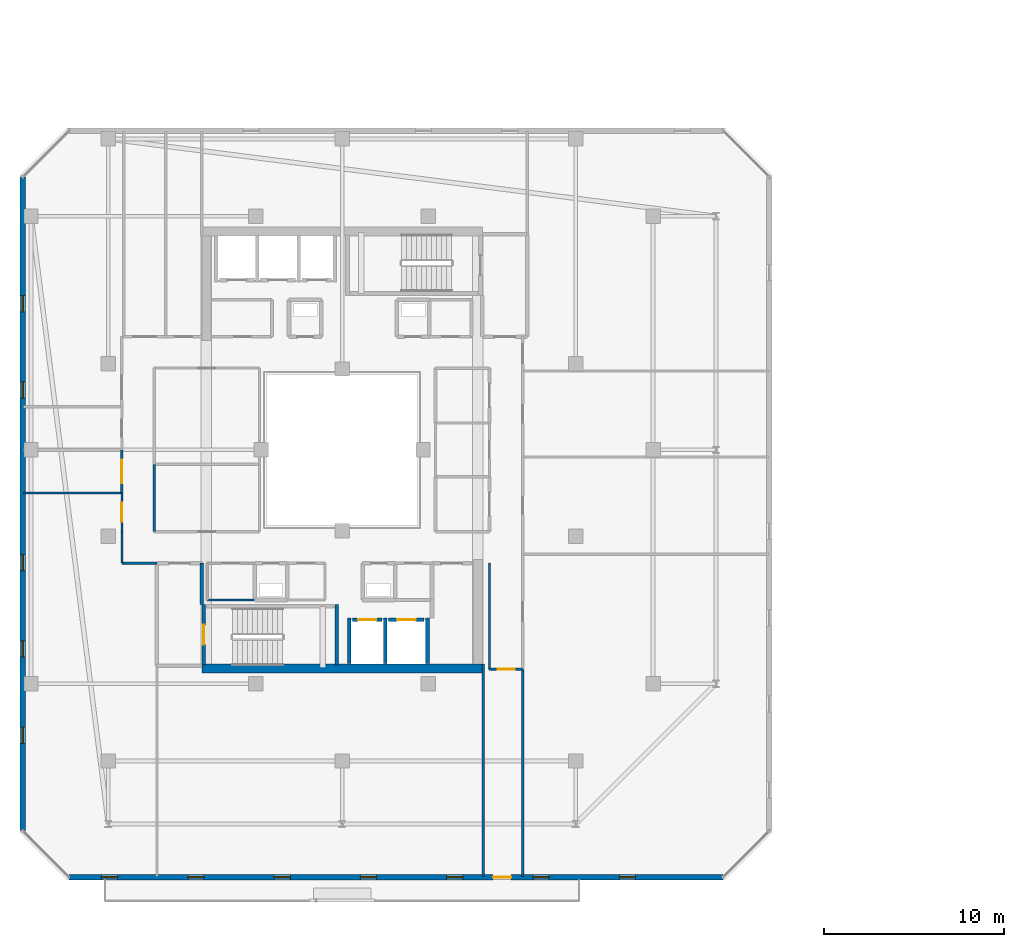
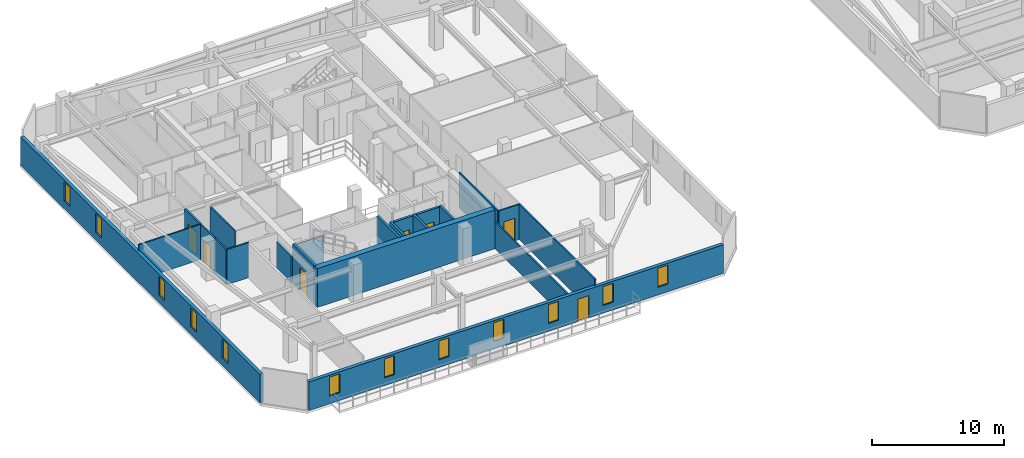
# One storey, part 21 of 35: 22 walls, 12 windows, 7 doors, 19 openings.
"""IFC4 building model written with IfcOpenShell, lengths in metres."""

import ifcopenshell
import ifcopenshell.guid

model = None  # the IFC model being written
_history = None  # IfcOwnerHistory: only IFC2X3 demands one
_inside = {}  # id of a spatial element -> (the spatial element, [elements in it])
_under = {}  # id of a project, library or spatial element -> (it, [spatial elements below it])
_declared = {}  # id of a project -> (the project, [libraries it declares])
_typed = {}  # id of a type object -> (the type object, [elements of that type])
_made_of = {}  # id of a material, layer set ... -> (it, [elements and type objects made of it])


def new_model(schema):
    """Start an empty IFC model of exactly this schema.

    Asked for "IFC4X3", IfcOpenShell would pick the latest addendum, in which some entities
    have other attributes; the version numbers below select the first issue.
    IFC2X3 requires an IfcOwnerHistory on every rooted entity: one is made here for all.
    """
    global model, _history
    if schema == "IFC4X3":
        model = ifcopenshell.file(schema_version=(4, 3, 0, 0))
    else:
        model = ifcopenshell.file(schema=schema)
    _inside.clear()
    _under.clear()
    _declared.clear()
    _typed.clear()
    _made_of.clear()
    _history = None
    if model.schema == "IFC2X3":
        org = make("IfcOrganization", Name="unknown")
        user = make(
            "IfcPersonAndOrganization",
            ThePerson=make("IfcPerson", FamilyName="unknown"),
            TheOrganization=org,
        )
        app = make(
            "IfcApplication",
            ApplicationDeveloper=org,
            Version="unknown",
            ApplicationFullName="unknown",
            ApplicationIdentifier="unknown",
        )
        _history = make(
            "IfcOwnerHistory",
            OwningUser=user,
            OwningApplication=app,
            ChangeAction="ADDED",
            CreationDate=0,
        )
    return model


def make(cls, **values):
    """One entity of the class cls with the attributes given. An attribute that is None is left unset."""
    return model.create_entity(
        cls, **{name: value for name, value in values.items() if value is not None}
    )


def rooted(cls, **values):
    """An entity with a GlobalId (a new one), such as an element, a storey or a relation."""
    return make(cls, GlobalId=ifcopenshell.guid.new(), OwnerHistory=_history, **values)


def si_unit(unit_type, name, prefix=None):
    """IfcSIUnit, for example si_unit("LENGTHUNIT", "METRE", prefix="MILLI")."""
    return make("IfcSIUnit", UnitType=unit_type, Prefix=prefix, Name=name)


def assignment(units):
    """IfcUnitAssignment: the units of a project."""
    return None if units is None else make("IfcUnitAssignment", Units=units)


def point(xyz):
    """IfcCartesianPoint."""
    return None if xyz is None else make("IfcCartesianPoint", Coordinates=xyz)


def direction(xyz):
    """IfcDirection."""
    return None if xyz is None else make("IfcDirection", DirectionRatios=xyz)


def frame(location, z_axis=None, x_axis=None):
    """IfcAxis2Placement3D, a coordinate frame: its origin and axes. An axis left out is left unset."""
    return make(
        "IfcAxis2Placement3D",
        Location=point(location),
        Axis=direction(z_axis),
        RefDirection=direction(x_axis),
    )


def frame_2d(location, x_axis=None):
    """IfcAxis2Placement2D, a coordinate frame in the plane: its origin and x axis."""
    return make(
        "IfcAxis2Placement2D", Location=point(location), RefDirection=direction(x_axis)
    )


def origin():
    """The frame at (0, 0, 0) with its axes left unset."""
    return frame((0.0, 0.0, 0.0))


def place(relative_to, where):
    """IfcLocalPlacement: puts the frame where relative to a parent placement (None: the world)."""
    return make(
        "IfcLocalPlacement", PlacementRelTo=relative_to, RelativePlacement=where
    )


def context(
    kind, dimensions, precision=None, world=None, true_north=None, identifier=None
):
    """IfcGeometricRepresentationContext, for example the 3D "Model" context."""
    return make(
        "IfcGeometricRepresentationContext",
        ContextIdentifier=identifier,
        ContextType=kind,
        CoordinateSpaceDimension=dimensions,
        Precision=precision,
        WorldCoordinateSystem=world,
        TrueNorth=true_north,
    )


def subcontext(parent, identifier, kind, view, scale=None):
    """IfcGeometricRepresentationSubContext, for example "Body" below "Model"."""
    return make(
        "IfcGeometricRepresentationSubContext",
        ContextIdentifier=identifier,
        ContextType=kind,
        ParentContext=parent,
        TargetScale=scale,
        TargetView=view,
    )


def project(units=None, contexts=None):
    """IfcProject with its units and contexts."""
    return rooted(
        "IfcProject",
        Name="project",
        RepresentationContexts=contexts,
        UnitsInContext=assignment(units),
    )


def spatial(cls, under=None, at=None, **own):
    """A site, building, storey or space (cls), placed at a placement, below another one or the project."""
    s = rooted(cls, ObjectPlacement=at, **own)
    if under is not None:
        _under.setdefault(under.id(), (under, []))[1].append(s)
    return s


def profile(cls, at=None, kind="AREA", **sizes):
    """A parametric profile (cls). Its sizes go by their IFC names, for example OverallWidth=200.0."""
    return make(cls, ProfileType=kind, Position=at, **sizes)


def rectangle(**sizes):
    """IfcRectangleProfileDef."""
    return profile("IfcRectangleProfileDef", **sizes)


def extrude(swept, where, along, depth):
    """IfcExtrudedAreaSolid: the profile swept, set in the frame where, extruded along a direction by depth."""
    return make(
        "IfcExtrudedAreaSolid",
        SweptArea=swept,
        Position=where,
        ExtrudedDirection=direction(along),
        Depth=depth,
    )


def shape(context_of_items, identifier, shape_type, items):
    """IfcShapeRepresentation: the items that make up one representation, for example the "Body"."""
    return make(
        "IfcShapeRepresentation",
        ContextOfItems=context_of_items,
        RepresentationIdentifier=identifier,
        RepresentationType=shape_type,
        Items=items,
    )


def material(Name=None, Category=None):
    """IfcMaterial."""
    return make("IfcMaterial", Name=Name, Category=Category)


def layer(
    of_material, thickness, ventilated=None, Name=None, Category=None, Priority=None
):
    """IfcMaterialLayer: one layer of a wall or slab, of a material (None: an air gap)."""
    return make(
        "IfcMaterialLayer",
        Material=of_material,
        LayerThickness=thickness,
        IsVentilated=ventilated,
        Name=Name,
        Category=Category,
        Priority=Priority,
    )


def layer_set(layers, Name=None):
    """IfcMaterialLayerSet."""
    return make("IfcMaterialLayerSet", MaterialLayers=layers, LayerSetName=Name)


def made_of(thing, what):
    """Note that an element or type object is made of a material, layer set ...; save() writes the relation."""
    if what is not None:
        _made_of.setdefault(what.id(), (what, []))[1].append(thing)
    return thing


def type_object(cls, material=None, **own):
    """A type object (cls), such as IfcWallType, which elements share."""
    return made_of(rooted(cls, **own), material)


def element(
    cls,
    number,
    at=None,
    inside=None,
    cuts=None,
    type_object=None,
    material=None,
    context=None,
    identifier="Body",
    shape_type=None,
    held_by="IfcProductDefinitionShape",
    body=None,
    shapes=None,
    **own,
):
    """One element of the class cls, such as IfcWall. Its Tag is "e" and its number.

    at: its placement. inside: the storey or other place that contains it. cuts: it is an
    opening in that element (IfcRelVoidsElement). A single representation is given by context,
    identifier, shape_type and body (its items); several are given by shapes. held_by: the class
    of the entity that holds the representations. save() writes the other relations.
    """
    e = rooted(cls, Tag="e%d" % number, ObjectPlacement=at, **own)
    if body is not None:
        shapes = [shape(context, identifier, shape_type, body)]
    if shapes is not None:
        e.Representation = make(held_by, Representations=shapes)
    if inside is not None:
        _inside.setdefault(inside.id(), (inside, []))[1].append(e)
    if cuts is not None:
        rooted(
            "IfcRelVoidsElement", RelatingBuildingElement=cuts, RelatedOpeningElement=e
        )
    if type_object is not None:
        _typed.setdefault(type_object.id(), (type_object, []))[1].append(e)
    return made_of(e, material)


def fill(opening, filler):
    """IfcRelFillsElement: the door or window that sits in an opening."""
    return rooted(
        "IfcRelFillsElement",
        RelatingOpeningElement=opening,
        RelatedBuildingElement=filler,
    )


def aggregate(whole, parts):
    """IfcRelAggregates: a whole, such as a stair, and the parts it consists of."""
    return rooted("IfcRelAggregates", RelatingObject=whole, RelatedObjects=parts)


def save(model, path):
    """Write the relations noted so far, then the file.

    IfcRelAggregates (storeys below a building ...), IfcRelContainedInSpatialStructure (elements
    in a storey), IfcRelDefinesByType, IfcRelAssociatesMaterial and IfcRelDeclares: one each for
    every whole, place, type object, material and project.
    """
    for whole, parts in _under.values():
        aggregate(whole, parts)
    for where, things in _inside.values():
        rooted(
            "IfcRelContainedInSpatialStructure",
            RelatedElements=things,
            RelatingStructure=where,
        )
    for kind, things in _typed.values():
        rooted("IfcRelDefinesByType", RelatedObjects=things, RelatingType=kind)
    for what, things in _made_of.values():
        rooted("IfcRelAssociatesMaterial", RelatedObjects=things, RelatingMaterial=what)
    for by, libraries in _declared.values():
        rooted("IfcRelDeclares", RelatingContext=by, RelatedDefinitions=libraries)
    model.write(path)


model = new_model("IFC4")

# Units and contexts
model_context = context("Model", 3, precision=1e-05, world=origin(), true_north=direction((0.0, 1.0)))
body_context = subcontext(model_context, "Body", "Model", "MODEL_VIEW")
ifc_project = project(units=[si_unit("LENGTHUNIT", "METRE"), si_unit("AREAUNIT", "SQUARE_METRE"), si_unit("VOLUMEUNIT", "CUBIC_METRE"), si_unit("PLANEANGLEUNIT", "RADIAN"), si_unit("MASSUNIT", "GRAM", prefix="KILO")], contexts=[model_context])

# Site, building, storey
site_placement = place(None, origin())
site = spatial("IfcSite", under=ifc_project, at=site_placement, CompositionType="ELEMENT")
building_placement = place(site_placement, origin())
building = spatial("IfcBuilding", under=site, at=building_placement, Name="Thornwick Lancets Civic Towers", CompositionType="ELEMENT")
storey_placement = place(building_placement, frame((0.0, 0.0, 276.300048828125)))
storey = spatial("IfcBuildingStorey", under=building, at=storey_placement, Name="L74", CompositionType="ELEMENT", Elevation=276.300048828125)

# Wall, opening, door
ifc_material_1 = material(Name="Concrete blockwork C40/50", Category="masonry")
ifc_layer_1 = layer(ifc_material_1, 0.199951171875, Name="Concrete blockwork C40/50")
ifc_layer_set_1 = layer_set([ifc_layer_1], Name="Concrete blockwork C40/50")
wall_type_1 = type_object("IfcWallType", Name="WALL_COMP_200", PredefinedType="STANDARD", material=ifc_layer_set_1)
wall_1_placement = place(storey_placement, frame((26.080078125, 17.550048828125, 0.0), z_axis=(0.0, 0.0, 1.0), x_axis=(1.0, 0.0, 0.0)))
wall_1 = element("IfcWall", 1, at=wall_1_placement, inside=storey, type_object=wall_type_1, Name="L74 Hoistway Front Wall FL-A1", PredefinedType="STANDARD", context=body_context, shape_type="SweptSolid", body=[
    extrude(rectangle(XDim=1.639892578125, YDim=0.199951171875, at=frame_2d((0.81982421875, 0.0))), origin(), (0.0, 0.0, 1.0), 3.260009765625),
])
opening_1_placement = place(wall_1_placement, frame((0.31005859375, 0.0, 0.0)))
opening_1 = element("IfcOpeningElement", 2, at=opening_1_placement, cuts=wall_1, Name="Opening LD-FL-A1", PredefinedType="OPENING", context=body_context, shape_type="SweptSolid", body=[
    extrude(rectangle(XDim=1.02001953125, YDim=2.06005859375, at=frame_2d((0.510009765625, 1.030029296875))), frame((0.0, 0.10986328125, 0.0), z_axis=(0.0, -1.0, 0.0), x_axis=(1.0, 0.0, 0.0)), (0.0, 0.0, 1.0), 0.219970703125),
])
ifc_material_2 = material(Name="Brushed bronze stainless steel", Category="steel")
door_type_1 = type_object("IfcDoorType", Name="DOOR_LIFT_SLIDE", OperationType="SLIDING_TO_LEFT", PredefinedType="DOOR", material=ifc_material_2)
door_1_placement = place(opening_1_placement, origin())
door_1 = element("IfcDoor", 3, at=door_1_placement, inside=storey, type_object=door_type_1, Name="L74 Sliding Lift Landing Door LD-FL-A1", OperationType="SLIDING_TO_LEFT", OverallHeight=2.06005859375, OverallWidth=1.02001953125, PredefinedType="DOOR", context=body_context, shape_type="SweptSolid", body=[
    extrude(rectangle(XDim=1.02001953125, YDim=2.06005859375, at=frame_2d((0.510009765625, 1.030029296875))), frame((0.0, 0.02490234375, 0.0), z_axis=(0.0, -1.0, 0.0), x_axis=(1.0, 0.0, 0.0)), (0.0, 0.0, 1.0), 0.050048828125),
])
fill(opening_1, door_1)

wall_2_placement = place(storey_placement, frame((28.080078125, 17.550048828125, 0.0), z_axis=(0.0, 0.0, 1.0), x_axis=(1.0, 0.0, 0.0)))
wall_2 = element("IfcWall", 4, at=wall_2_placement, inside=storey, type_object=wall_type_1, Name="L74 Hoistway Front Wall PL-AH1", PredefinedType="STANDARD", context=body_context, shape_type="SweptSolid", body=[
    extrude(rectangle(XDim=1.989990234375, YDim=0.199951171875, at=frame_2d((0.9951171875, 0.0))), origin(), (0.0, 0.0, 1.0), 3.260009765625),
])
opening_2_placement = place(wall_2_placement, frame((0.485107421875, 0.0, 0.0)))
opening_2 = element("IfcOpeningElement", 5, at=opening_2_placement, cuts=wall_2, Name="Opening LD-PL-AH1", PredefinedType="OPENING", context=body_context, shape_type="SweptSolid", body=[
    extrude(rectangle(XDim=1.02001953125, YDim=2.06005859375, at=frame_2d((0.510009765625, 1.030029296875))), frame((0.0, 0.10986328125, 0.0), z_axis=(0.0, -1.0, 0.0), x_axis=(1.0, 0.0, 0.0)), (0.0, 0.0, 1.0), 0.219970703125),
])
door_2_placement = place(opening_2_placement, origin())
door_2 = element("IfcDoor", 6, at=door_2_placement, inside=storey, type_object=door_type_1, Name="L74 Sliding Lift Landing Door LD-PL-AH1", OperationType="SLIDING_TO_LEFT", OverallHeight=2.06005859375, OverallWidth=1.02001953125, PredefinedType="DOOR", context=body_context, shape_type="SweptSolid", body=[
    extrude(rectangle(XDim=1.02001953125, YDim=2.06005859375, at=frame_2d((0.510009765625, 1.030029296875))), frame((0.0, 0.02490234375, 0.0), z_axis=(0.0, -1.0, 0.0), x_axis=(1.0, 0.0, 0.0)), (0.0, 0.0, 1.0), 0.050048828125),
])
fill(opening_2, door_2)

# Walls
for number, where, z_axis, x_axis, name in (
    (7, (27.89990234375, 15.112060546875, 0.0), (0.0, 0.0, 1.0), (0.0, 1.0, 0.0), "L74 Hoistway Shaft Wall FL-A1 E"),
    (8, (25.89990234375, 15.112060546875, 0.0), (0.0, 0.0, 1.0), (0.0, 1.0, 0.0), "L74 Hoistway Shaft Wall FL-A1 W"),
    (9, (30.25, 15.112060546875, 0.0), (0.0, 0.0, 1.0), (0.0, 1.0, 0.0), "L74 Hoistway Shaft Wall PL-AH1 E"),
):
    element("IfcWall", number, at=place(storey_placement, frame(where, z_axis=z_axis, x_axis=x_axis)), inside=storey, type_object=wall_type_1, Name=name, PredefinedType="STANDARD", context=body_context, shape_type="SweptSolid", body=[
        extrude(rectangle(XDim=2.535888671875, YDim=0.199951171875, at=frame_2d((1.26806640625, 0.0))), origin(), (0.0, 0.0, 1.0), 3.260009765625),
    ])
wall_3_placement = place(storey_placement, frame((17.699951171875, 18.39990234375, 0.0), z_axis=(0.0, 0.0, 1.0), x_axis=(0.0, 1.0, 0.0)))
element("IfcWall", 10, at=wall_3_placement, inside=storey, type_object=wall_type_1, Name="L74 Partition L74-A-FFLOB1 E2", PredefinedType="STANDARD", context=body_context, shape_type="SweptSolid", body=[
    extrude(rectangle(XDim=2.300048828125, YDim=0.199951171875, at=frame_2d((1.14990234375, 0.0))), origin(), (0.0, 0.0, 1.0), 2.46484375),
])
ifc_material_3 = material(Name="Concrete C50/60", Category="concrete")
ifc_layer_2 = layer(ifc_material_3, 0.5, Name="Concrete C50/60")
ifc_layer_set_2 = layer_set([ifc_layer_2], Name="Concrete C50/60")
wall_type_2 = type_object("IfcWallType", Name="WALL_CORE_500", PredefinedType="SHEAR", material=ifc_layer_set_2)
wall_4_placement = place(storey_placement, frame((17.699951171875, 14.85009765625, 0.0), z_axis=(0.0, 0.0, 1.0), x_axis=(1.0, 0.0, 0.0)))
element("IfcWall", 11, at=wall_4_placement, inside=storey, type_object=wall_type_2, Name="L74 Split Core A1 Shear Wall S", PredefinedType="SHEAR", context=body_context, shape_type="SweptSolid", body=[
    extrude(rectangle(XDim=15.60009765625, YDim=0.5, at=frame_2d((7.800048828125, 0.0))), origin(), (0.0, 0.0, 1.0), 3.599853515625),
])

# Wall, openings, door, windows
ifc_material_4 = material(Name="Insulated russet terracotta rainscreen on concrete C40/50", Category="masonry")
ifc_layer_3 = layer(ifc_material_4, 0.300048828125, Name="Insulated russet terracotta rainscreen on concrete C40/50")
ifc_layer_set_3 = layer_set([ifc_layer_3], Name="Insulated russet terracotta rainscreen on concrete C40/50")
wall_type_3 = type_object("IfcWallType", Name="WALL_EXT_RUSSET_300", PredefinedType="STANDARD", material=ifc_layer_set_3)
wall_5_placement = place(storey_placement, frame((10.318603515625, 3.2353515625, 0.0), z_axis=(0.0, 0.0, 1.0), x_axis=(1.0, 0.0, 0.0)))
wall_5 = element("IfcWall", 12, at=wall_5_placement, inside=storey, type_object=wall_type_3, Name="L74 Tower A Terracotta Facade Wall E0", PredefinedType="STANDARD", context=body_context, shape_type="SweptSolid", body=[
    extrude(rectangle(XDim=36.36279296875, YDim=0.300048828125, at=frame_2d((18.181396484375, 0.0))), origin(), (0.0, 0.0, 1.0), 2.659912109375),
])
opening_3_placement = place(wall_5_placement, frame((23.581298828125, 0.0, 0.0)))
opening_3 = element("IfcOpeningElement", 13, at=opening_3_placement, cuts=wall_5, Name="Opening D-BL-L74-AS", PredefinedType="OPENING", context=body_context, shape_type="SweptSolid", body=[
    extrude(rectangle(XDim=1.0, YDim=2.080078125, at=frame_2d((0.5, 1.0400390625))), frame((0.0, 0.16015625, 0.0), z_axis=(0.0, -1.0, 0.0), x_axis=(1.0, 0.0, 0.0)), (0.0, 0.0, 1.0), 0.320068359375),
])
opening_4_placement = place(wall_5_placement, frame((1.800048828125, 0.0, 0.719970703125)))
opening_4 = element("IfcOpeningElement", 14, at=opening_4_placement, cuts=wall_5, Name="Opening WL-01", PredefinedType="OPENING", context=body_context, shape_type="SweptSolid", body=[
    extrude(rectangle(XDim=0.89990234375, YDim=1.75, at=frame_2d((0.449951171875, 0.875))), frame((0.0, 0.16015625, 0.0), z_axis=(0.0, -1.0, 0.0), x_axis=(1.0, 0.0, 0.0)), (0.0, 0.0, 1.0), 0.320068359375),
])
opening_5_placement = place(wall_5_placement, frame((6.60009765625, 0.0, 0.719970703125)))
opening_5 = element("IfcOpeningElement", 15, at=opening_5_placement, cuts=wall_5, Name="Opening WL-01", PredefinedType="OPENING", context=body_context, shape_type="SweptSolid", body=[
    extrude(rectangle(XDim=0.89990234375, YDim=1.75, at=frame_2d((0.449951171875, 0.875))), frame((0.0, 0.16015625, 0.0), z_axis=(0.0, -1.0, 0.0), x_axis=(1.0, 0.0, 0.0)), (0.0, 0.0, 1.0), 0.320068359375),
])
opening_6_placement = place(wall_5_placement, frame((11.39990234375, 0.0, 0.719970703125)))
opening_6 = element("IfcOpeningElement", 16, at=opening_6_placement, cuts=wall_5, Name="Opening WL-01", PredefinedType="OPENING", context=body_context, shape_type="SweptSolid", body=[
    extrude(rectangle(XDim=0.89990234375, YDim=1.75, at=frame_2d((0.449951171875, 0.875))), frame((0.0, 0.16015625, 0.0), z_axis=(0.0, -1.0, 0.0), x_axis=(1.0, 0.0, 0.0)), (0.0, 0.0, 1.0), 0.320068359375),
])
opening_7_placement = place(wall_5_placement, frame((16.199951171875, 0.0, 0.719970703125)))
opening_7 = element("IfcOpeningElement", 17, at=opening_7_placement, cuts=wall_5, Name="Opening WL-01", PredefinedType="OPENING", context=body_context, shape_type="SweptSolid", body=[
    extrude(rectangle(XDim=0.89990234375, YDim=1.75, at=frame_2d((0.449951171875, 0.875))), frame((0.0, 0.16015625, 0.0), z_axis=(0.0, -1.0, 0.0), x_axis=(1.0, 0.0, 0.0)), (0.0, 0.0, 1.0), 0.320068359375),
])
opening_8_placement = place(wall_5_placement, frame((21.0, 0.0, 0.719970703125)))
opening_8 = element("IfcOpeningElement", 18, at=opening_8_placement, cuts=wall_5, Name="Opening WL-01", PredefinedType="OPENING", context=body_context, shape_type="SweptSolid", body=[
    extrude(rectangle(XDim=0.89990234375, YDim=1.75, at=frame_2d((0.449951171875, 0.875))), frame((0.0, 0.16015625, 0.0), z_axis=(0.0, -1.0, 0.0), x_axis=(1.0, 0.0, 0.0)), (0.0, 0.0, 1.0), 0.320068359375),
])
opening_9_placement = place(wall_5_placement, frame((25.800048828125, 0.0, 0.719970703125)))
opening_9 = element("IfcOpeningElement", 19, at=opening_9_placement, cuts=wall_5, Name="Opening WL-01", PredefinedType="OPENING", context=body_context, shape_type="SweptSolid", body=[
    extrude(rectangle(XDim=0.89990234375, YDim=1.75, at=frame_2d((0.449951171875, 0.875))), frame((0.0, 0.16015625, 0.0), z_axis=(0.0, -1.0, 0.0), x_axis=(1.0, 0.0, 0.0)), (0.0, 0.0, 1.0), 0.320068359375),
])
opening_10_placement = place(wall_5_placement, frame((30.60009765625, 0.0, 0.719970703125)))
opening_10 = element("IfcOpeningElement", 20, at=opening_10_placement, cuts=wall_5, Name="Opening WL-01", PredefinedType="OPENING", context=body_context, shape_type="SweptSolid", body=[
    extrude(rectangle(XDim=0.89990234375, YDim=1.75, at=frame_2d((0.449951171875, 0.875))), frame((0.0, 0.16015625, 0.0), z_axis=(0.0, -1.0, 0.0), x_axis=(1.0, 0.0, 0.0)), (0.0, 0.0, 1.0), 0.320068359375),
])
ifc_material_5 = material(Name="Thermally broken glazed loggia doorset")
door_type_2 = type_object("IfcDoorType", Name="DOOR_BALC_1000", OperationType="NOTDEFINED", PredefinedType="DOOR", material=ifc_material_5)
door_3_placement = place(opening_3_placement, origin())
door_3 = element("IfcDoor", 21, at=door_3_placement, inside=storey, type_object=door_type_2, Name="L74 Tower A Loggia Balcony Door S", OperationType="SINGLE_SWING_LEFT", OverallHeight=2.080078125, OverallWidth=1.0, PredefinedType="DOOR", context=body_context, shape_type="SweptSolid", body=[
    extrude(rectangle(XDim=1.0, YDim=2.080078125, at=frame_2d((0.5, 1.0400390625))), frame((0.0, 0.02490234375, 0.0), z_axis=(0.0, -1.0, 0.0), x_axis=(1.0, 0.0, 0.0)), (0.0, 0.0, 1.0), 0.050048828125),
])
fill(opening_3, door_3)
ifc_material_6 = material(Name="Clear low-e double glazing in bronze frame", Category="glass")
window_type = type_object("IfcWindowType", Name="WIN_LANCET_900", PartitioningType="SINGLE_PANEL", PredefinedType="WINDOW", material=ifc_material_6)
window_1_placement = place(opening_4_placement, origin())
window_1 = element("IfcWindow", 22, at=window_1_placement, inside=storey, type_object=window_type, Name="L74 Tower A Staggered Lancet Window E0-1", OverallHeight=1.75, OverallWidth=0.89990234375, PartitioningType="SINGLE_PANEL", PredefinedType="WINDOW", context=body_context, shape_type="SweptSolid", body=[
    extrude(rectangle(XDim=0.89990234375, YDim=1.75, at=frame_2d((0.449951171875, 0.875))), frame((0.0, 0.030029296875, 0.0), z_axis=(0.0, -1.0, 0.0), x_axis=(1.0, 0.0, 0.0)), (0.0, 0.0, 1.0), 0.06005859375),
])
fill(opening_4, window_1)
window_2_placement = place(opening_5_placement, origin())
window_2 = element("IfcWindow", 23, at=window_2_placement, inside=storey, type_object=window_type, Name="L74 Tower A Staggered Lancet Window E0-2", OverallHeight=1.75, OverallWidth=0.89990234375, PartitioningType="SINGLE_PANEL", PredefinedType="WINDOW", context=body_context, shape_type="SweptSolid", body=[
    extrude(rectangle(XDim=0.89990234375, YDim=1.75, at=frame_2d((0.449951171875, 0.875))), frame((0.0, 0.030029296875, 0.0), z_axis=(0.0, -1.0, 0.0), x_axis=(1.0, 0.0, 0.0)), (0.0, 0.0, 1.0), 0.06005859375),
])
fill(opening_5, window_2)
window_3_placement = place(opening_6_placement, origin())
window_3 = element("IfcWindow", 24, at=window_3_placement, inside=storey, type_object=window_type, Name="L74 Tower A Staggered Lancet Window E0-3", OverallHeight=1.75, OverallWidth=0.89990234375, PartitioningType="SINGLE_PANEL", PredefinedType="WINDOW", context=body_context, shape_type="SweptSolid", body=[
    extrude(rectangle(XDim=0.89990234375, YDim=1.75, at=frame_2d((0.449951171875, 0.875))), frame((0.0, 0.030029296875, 0.0), z_axis=(0.0, -1.0, 0.0), x_axis=(1.0, 0.0, 0.0)), (0.0, 0.0, 1.0), 0.06005859375),
])
fill(opening_6, window_3)
window_4_placement = place(opening_7_placement, origin())
window_4 = element("IfcWindow", 25, at=window_4_placement, inside=storey, type_object=window_type, Name="L74 Tower A Staggered Lancet Window E0-4", OverallHeight=1.75, OverallWidth=0.89990234375, PartitioningType="SINGLE_PANEL", PredefinedType="WINDOW", context=body_context, shape_type="SweptSolid", body=[
    extrude(rectangle(XDim=0.89990234375, YDim=1.75, at=frame_2d((0.449951171875, 0.875))), frame((0.0, 0.030029296875, 0.0), z_axis=(0.0, -1.0, 0.0), x_axis=(1.0, 0.0, 0.0)), (0.0, 0.0, 1.0), 0.06005859375),
])
fill(opening_7, window_4)
window_5_placement = place(opening_8_placement, origin())
window_5 = element("IfcWindow", 26, at=window_5_placement, inside=storey, type_object=window_type, Name="L74 Tower A Staggered Lancet Window E0-5", OverallHeight=1.75, OverallWidth=0.89990234375, PartitioningType="SINGLE_PANEL", PredefinedType="WINDOW", context=body_context, shape_type="SweptSolid", body=[
    extrude(rectangle(XDim=0.89990234375, YDim=1.75, at=frame_2d((0.449951171875, 0.875))), frame((0.0, 0.030029296875, 0.0), z_axis=(0.0, -1.0, 0.0), x_axis=(1.0, 0.0, 0.0)), (0.0, 0.0, 1.0), 0.06005859375),
])
fill(opening_8, window_5)
window_6_placement = place(opening_9_placement, origin())
window_6 = element("IfcWindow", 27, at=window_6_placement, inside=storey, type_object=window_type, Name="L74 Tower A Staggered Lancet Window E0-6", OverallHeight=1.75, OverallWidth=0.89990234375, PartitioningType="SINGLE_PANEL", PredefinedType="WINDOW", context=body_context, shape_type="SweptSolid", body=[
    extrude(rectangle(XDim=0.89990234375, YDim=1.75, at=frame_2d((0.449951171875, 0.875))), frame((0.0, 0.030029296875, 0.0), z_axis=(0.0, -1.0, 0.0), x_axis=(1.0, 0.0, 0.0)), (0.0, 0.0, 1.0), 0.06005859375),
])
fill(opening_9, window_6)
window_7_placement = place(opening_10_placement, origin())
window_7 = element("IfcWindow", 28, at=window_7_placement, inside=storey, type_object=window_type, Name="L74 Tower A Staggered Lancet Window E0-7", OverallHeight=1.75, OverallWidth=0.89990234375, PartitioningType="SINGLE_PANEL", PredefinedType="WINDOW", context=body_context, shape_type="SweptSolid", body=[
    extrude(rectangle(XDim=0.89990234375, YDim=1.75, at=frame_2d((0.449951171875, 0.875))), frame((0.0, 0.030029296875, 0.0), z_axis=(0.0, -1.0, 0.0), x_axis=(1.0, 0.0, 0.0)), (0.0, 0.0, 1.0), 0.06005859375),
])
fill(opening_10, window_7)

# Wall, openings, windows
wall_6_placement = place(storey_placement, frame((7.7353515625, 42.181396484375, 0.0), z_axis=(0.0, 0.0, 1.0), x_axis=(0.0, -1.0, 0.0)))
wall_6 = element("IfcWall", 29, at=wall_6_placement, inside=storey, type_object=wall_type_3, Name="L74 Tower A Terracotta Facade Wall E6", PredefinedType="STANDARD", context=body_context, shape_type="SweptSolid", body=[
    extrude(rectangle(XDim=36.36279296875, YDim=0.300048828125, at=frame_2d((18.181396484375, 0.0))), origin(), (0.0, 0.0, 1.0), 2.659912109375),
])
opening_11_placement = place(wall_6_placement, frame((6.60009765625, 0.0, 0.719970703125)))
opening_11 = element("IfcOpeningElement", 30, at=opening_11_placement, cuts=wall_6, Name="Opening WL-01", PredefinedType="OPENING", context=body_context, shape_type="SweptSolid", body=[
    extrude(rectangle(XDim=0.89990234375, YDim=1.75, at=frame_2d((0.449951171875, 0.875))), frame((0.0, 0.16015625, 0.0), z_axis=(0.0, -1.0, 0.0), x_axis=(1.0, 0.0, 0.0)), (0.0, 0.0, 1.0), 0.320068359375),
])
opening_12_placement = place(wall_6_placement, frame((11.39990234375, 0.0, 0.719970703125)))
opening_12 = element("IfcOpeningElement", 31, at=opening_12_placement, cuts=wall_6, Name="Opening WL-01", PredefinedType="OPENING", context=body_context, shape_type="SweptSolid", body=[
    extrude(rectangle(XDim=0.89990234375, YDim=1.75, at=frame_2d((0.449951171875, 0.875))), frame((0.0, 0.16015625, 0.0), z_axis=(0.0, -1.0, 0.0), x_axis=(1.0, 0.0, 0.0)), (0.0, 0.0, 1.0), 0.320068359375),
])
opening_13_placement = place(wall_6_placement, frame((21.0, 0.0, 0.719970703125)))
opening_13 = element("IfcOpeningElement", 32, at=opening_13_placement, cuts=wall_6, Name="Opening WL-01", PredefinedType="OPENING", context=body_context, shape_type="SweptSolid", body=[
    extrude(rectangle(XDim=0.89990234375, YDim=1.75, at=frame_2d((0.449951171875, 0.875))), frame((0.0, 0.16015625, 0.0), z_axis=(0.0, -1.0, 0.0), x_axis=(1.0, 0.0, 0.0)), (0.0, 0.0, 1.0), 0.320068359375),
])
opening_14_placement = place(wall_6_placement, frame((25.800048828125, 0.0, 0.719970703125)))
opening_14 = element("IfcOpeningElement", 33, at=opening_14_placement, cuts=wall_6, Name="Opening WL-01", PredefinedType="OPENING", context=body_context, shape_type="SweptSolid", body=[
    extrude(rectangle(XDim=0.89990234375, YDim=1.75, at=frame_2d((0.449951171875, 0.875))), frame((0.0, 0.16015625, 0.0), z_axis=(0.0, -1.0, 0.0), x_axis=(1.0, 0.0, 0.0)), (0.0, 0.0, 1.0), 0.320068359375),
])
opening_15_placement = place(wall_6_placement, frame((30.60009765625, 0.0, 0.719970703125)))
opening_15 = element("IfcOpeningElement", 34, at=opening_15_placement, cuts=wall_6, Name="Opening WL-01", PredefinedType="OPENING", context=body_context, shape_type="SweptSolid", body=[
    extrude(rectangle(XDim=0.89990234375, YDim=1.75, at=frame_2d((0.449951171875, 0.875))), frame((0.0, 0.16015625, 0.0), z_axis=(0.0, -1.0, 0.0), x_axis=(1.0, 0.0, 0.0)), (0.0, 0.0, 1.0), 0.320068359375),
])
window_8_placement = place(opening_11_placement, origin())
window_8 = element("IfcWindow", 35, at=window_8_placement, inside=storey, type_object=window_type, Name="L74 Tower A Staggered Lancet Window E6-1", OverallHeight=1.75, OverallWidth=0.89990234375, PartitioningType="SINGLE_PANEL", PredefinedType="WINDOW", context=body_context, shape_type="SweptSolid", body=[
    extrude(rectangle(XDim=0.89990234375, YDim=1.75, at=frame_2d((0.449951171875, 0.875))), frame((0.0, 0.030029296875, 0.0), z_axis=(0.0, -1.0, 0.0), x_axis=(1.0, 0.0, 0.0)), (0.0, 0.0, 1.0), 0.06005859375),
])
fill(opening_11, window_8)
window_9_placement = place(opening_12_placement, origin())
window_9 = element("IfcWindow", 36, at=window_9_placement, inside=storey, type_object=window_type, Name="L74 Tower A Staggered Lancet Window E6-2", OverallHeight=1.75, OverallWidth=0.89990234375, PartitioningType="SINGLE_PANEL", PredefinedType="WINDOW", context=body_context, shape_type="SweptSolid", body=[
    extrude(rectangle(XDim=0.89990234375, YDim=1.75, at=frame_2d((0.449951171875, 0.875))), frame((0.0, 0.030029296875, 0.0), z_axis=(0.0, -1.0, 0.0), x_axis=(1.0, 0.0, 0.0)), (0.0, 0.0, 1.0), 0.06005859375),
])
fill(opening_12, window_9)
window_10_placement = place(opening_13_placement, origin())
window_10 = element("IfcWindow", 37, at=window_10_placement, inside=storey, type_object=window_type, Name="L74 Tower A Staggered Lancet Window E6-3", OverallHeight=1.75, OverallWidth=0.89990234375, PartitioningType="SINGLE_PANEL", PredefinedType="WINDOW", context=body_context, shape_type="SweptSolid", body=[
    extrude(rectangle(XDim=0.89990234375, YDim=1.75, at=frame_2d((0.449951171875, 0.875))), frame((0.0, 0.030029296875, 0.0), z_axis=(0.0, -1.0, 0.0), x_axis=(1.0, 0.0, 0.0)), (0.0, 0.0, 1.0), 0.06005859375),
])
fill(opening_13, window_10)
window_11_placement = place(opening_14_placement, origin())
window_11 = element("IfcWindow", 38, at=window_11_placement, inside=storey, type_object=window_type, Name="L74 Tower A Staggered Lancet Window E6-4", OverallHeight=1.75, OverallWidth=0.89990234375, PartitioningType="SINGLE_PANEL", PredefinedType="WINDOW", context=body_context, shape_type="SweptSolid", body=[
    extrude(rectangle(XDim=0.89990234375, YDim=1.75, at=frame_2d((0.449951171875, 0.875))), frame((0.0, 0.030029296875, 0.0), z_axis=(0.0, -1.0, 0.0), x_axis=(1.0, 0.0, 0.0)), (0.0, 0.0, 1.0), 0.06005859375),
])
fill(opening_14, window_11)
window_12_placement = place(opening_15_placement, origin())
window_12 = element("IfcWindow", 39, at=window_12_placement, inside=storey, type_object=window_type, Name="L74 Tower A Staggered Lancet Window E6-5", OverallHeight=1.75, OverallWidth=0.89990234375, PartitioningType="SINGLE_PANEL", PredefinedType="WINDOW", context=body_context, shape_type="SweptSolid", body=[
    extrude(rectangle(XDim=0.89990234375, YDim=1.75, at=frame_2d((0.449951171875, 0.875))), frame((0.0, 0.030029296875, 0.0), z_axis=(0.0, -1.0, 0.0), x_axis=(1.0, 0.0, 0.0)), (0.0, 0.0, 1.0), 0.06005859375),
])
fill(opening_15, window_12)

# Walls
ifc_material_7 = material(Name="Lightweight cellular office partition")
ifc_layer_4 = layer(ifc_material_7, 0.10009765625, Name="Lightweight cellular office partition")
ifc_layer_set_4 = layer_set([ifc_layer_4], Name="Lightweight cellular office partition")
wall_type_4 = type_object("IfcWallType", Name="WALL_PART_100", PredefinedType="PARTITIONING", material=ifc_layer_set_4)
wall_7_placement = place(storey_placement, frame((18.0, 18.64990234375, 0.0), z_axis=(0.0, 0.0, 1.0), x_axis=(1.0, 0.0, 0.0)))
element("IfcWall", 40, at=wall_7_placement, inside=storey, type_object=wall_type_4, Name="L74 Partition L74-A-CLN E1", PredefinedType="PARTITIONING", context=body_context, shape_type="SweptSolid", body=[
    extrude(rectangle(XDim=2.60009765625, YDim=0.10009765625, at=frame_2d((1.300048828125, 0.0))), origin(), (0.0, 0.0, 1.0), 3.260009765625),
])
ifc_material_8 = material(Name="Acoustic gypsum board partition")
ifc_layer_5 = layer(ifc_material_8, 0.1201171875, Name="Acoustic gypsum board partition")
ifc_layer_set_5 = layer_set([ifc_layer_5], Name="Acoustic gypsum board partition")
wall_type_5 = type_object("IfcWallType", Name="WALL_PART_120", PredefinedType="PARTITIONING", material=ifc_layer_set_5)
wall_8_placement = place(storey_placement, frame((33.699951171875, 20.699951171875, 0.0), z_axis=(0.0, 0.0, 1.0), x_axis=(0.0, -1.0, 0.0)))
element("IfcWall", 41, at=wall_8_placement, inside=storey, type_object=wall_type_5, Name="L74 Partition L74-A-RECLAIM-L E1", PredefinedType="PARTITIONING", context=body_context, shape_type="SweptSolid", body=[
    extrude(rectangle(XDim=5.89990234375, YDim=0.1201171875, at=frame_2d((2.949951171875, 0.0))), origin(), (0.0, 0.0, 1.0), 3.260009765625),
])

# Wall, opening, door
wall_9_placement = place(storey_placement, frame((33.699951171875, 14.800048828125, 0.0), z_axis=(0.0, 0.0, 1.0), x_axis=(1.0, 0.0, 0.0)))
wall_9 = element("IfcWall", 42, at=wall_9_placement, inside=storey, type_object=wall_type_5, Name="L74 Partition L74-A-RECLAIM-L E2", PredefinedType="PARTITIONING", context=body_context, shape_type="SweptSolid", body=[
    extrude(rectangle(XDim=1.85009765625, YDim=0.1201171875, at=frame_2d((0.925048828125, 0.0))), origin(), (0.0, 0.0, 1.0), 3.260009765625),
])
opening_16_placement = place(wall_9_placement, frame((0.449951171875, 0.0, 0.0)))
opening_16 = element("IfcOpeningElement", 43, at=opening_16_placement, cuts=wall_9, Name="Opening D-L74-3409", PredefinedType="OPENING", context=body_context, shape_type="SweptSolid", body=[
    extrude(rectangle(XDim=0.949951171875, YDim=2.10009765625, at=frame_2d((0.47509765625, 1.050048828125))), frame((0.0, 0.070068359375, 0.0), z_axis=(0.0, -1.0, 0.0), x_axis=(1.0, 0.0, 0.0)), (0.0, 0.0, 1.0), 0.14013671875),
])
ifc_material_9 = material(Name="European oak acoustic doorset")
door_type_3 = type_object("IfcDoorType", Name="DOOR_OFFICE_950", OperationType="NOTDEFINED", PredefinedType="DOOR", material=ifc_material_9)
door_4_placement = place(opening_16_placement, origin())
door_4 = element("IfcDoor", 44, at=door_4_placement, inside=storey, type_object=door_type_3, Name="L74 Tower A Parliamentary Drafting Library Door", OperationType="SINGLE_SWING_RIGHT", OverallHeight=2.10009765625, OverallWidth=0.949951171875, PredefinedType="DOOR", context=body_context, shape_type="SweptSolid", body=[
    extrude(rectangle(XDim=0.949951171875, YDim=2.10009765625, at=frame_2d((0.47509765625, 1.050048828125))), frame((0.0, 0.02490234375, 0.0), z_axis=(0.0, -1.0, 0.0), x_axis=(1.0, 0.0, 0.0)), (0.0, 0.0, 1.0), 0.050048828125),
])
fill(opening_16, door_4)

# Walls
wall_10_placement = place(storey_placement, frame((35.550048828125, 14.800048828125, 0.0), z_axis=(0.0, 0.0, 1.0), x_axis=(0.0, -1.0, 0.0)))
element("IfcWall", 45, at=wall_10_placement, inside=storey, type_object=wall_type_5, Name="L74 Partition L74-A-RECLAIM-L E3", PredefinedType="PARTITIONING", context=body_context, shape_type="SweptSolid", body=[
    extrude(rectangle(XDim=11.52001953125, YDim=0.1201171875, at=frame_2d((5.760009765625, 0.0))), origin(), (0.0, 0.0, 1.0), 3.260009765625),
])
wall_11_placement = place(storey_placement, frame((33.35009765625, 3.280029296875, 0.0), z_axis=(0.0, 0.0, 1.0), x_axis=(0.0, 1.0, 0.0)))
element("IfcWall", 46, at=wall_11_placement, inside=storey, type_object=wall_type_5, Name="L74 Partition L74-A-RECLAIM-L E5", PredefinedType="PARTITIONING", context=body_context, shape_type="SweptSolid", body=[
    extrude(rectangle(XDim=11.820068359375, YDim=0.1201171875, at=frame_2d((5.91015625, 0.0))), origin(), (0.0, 0.0, 1.0), 2.46484375),
])

# Wall, opening, door
wall_12_placement = place(storey_placement, frame((13.25, 24.60009765625, 0.0), z_axis=(0.0, 0.0, 1.0), x_axis=(0.0, -1.0, 0.0)))
wall_12 = element("IfcWall", 47, at=wall_12_placement, inside=storey, type_object=wall_type_5, Name="L74 Partition L74-A-W1 E1", PredefinedType="PARTITIONING", context=body_context, shape_type="SweptSolid", body=[
    extrude(rectangle(XDim=2.150146484375, YDim=0.1201171875, at=frame_2d((1.0751953125, 0.0))), origin(), (0.0, 0.0, 1.0), 3.260009765625),
])
opening_17_placement = place(wall_12_placement, frame((0.550048828125, 0.0, 0.0)))
opening_17 = element("IfcOpeningElement", 48, at=opening_17_placement, cuts=wall_12, Name="Opening D-L74-3412", PredefinedType="OPENING", context=body_context, shape_type="SweptSolid", body=[
    extrude(rectangle(XDim=1.050048828125, YDim=2.10009765625, at=frame_2d((0.52490234375, 1.050048828125))), frame((0.0, 0.070068359375, 0.0), z_axis=(0.0, -1.0, 0.0), x_axis=(1.0, 0.0, 0.0)), (0.0, 0.0, 1.0), 0.14013671875),
])
ifc_material_10 = material(Name="Glazed European oak executive doorset")
door_type_4 = type_object("IfcDoorType", Name="DOOR_OFFICE_1050", OperationType="NOTDEFINED", PredefinedType="DOOR", material=ifc_material_10)
door_5_placement = place(opening_17_placement, origin())
door_5 = element("IfcDoor", 49, at=door_5_placement, inside=storey, type_object=door_type_4, Name="L74 Tower A Ministry Directorate Office W1 Door", OperationType="SINGLE_SWING_LEFT", OverallHeight=2.10009765625, OverallWidth=1.050048828125, PredefinedType="DOOR", context=body_context, shape_type="SweptSolid", body=[
    extrude(rectangle(XDim=1.050048828125, YDim=2.10009765625, at=frame_2d((0.52490234375, 1.050048828125))), frame((0.0, 0.02490234375, 0.0), z_axis=(0.0, -1.0, 0.0), x_axis=(1.0, 0.0, 0.0)), (0.0, 0.0, 1.0), 0.050048828125),
])
fill(opening_17, door_5)

# Walls
wall_13_placement = place(storey_placement, frame((13.25, 22.449951171875, 0.0), z_axis=(0.0, 0.0, 1.0), x_axis=(0.0, -1.0, 0.0)))
element("IfcWall", 50, at=wall_13_placement, inside=storey, type_object=wall_type_5, Name="L74 Partition L74-A-W1 E2", PredefinedType="PARTITIONING", context=body_context, shape_type="SweptSolid", body=[
    extrude(rectangle(XDim=1.75, YDim=0.1201171875, at=frame_2d((0.875, 0.0))), origin(), (0.0, 0.0, 1.0), 3.260009765625),
])
wall_14_placement = place(storey_placement, frame((13.25, 20.699951171875, 0.0), z_axis=(0.0, 0.0, 1.0), x_axis=(1.0, 0.0, 0.0)))
element("IfcWall", 51, at=wall_14_placement, inside=storey, type_object=wall_type_5, Name="L74 Partition L74-A-W1 E3", PredefinedType="PARTITIONING", context=body_context, shape_type="SweptSolid", body=[
    extrude(rectangle(XDim=1.949951171875, YDim=0.1201171875, at=frame_2d((0.97509765625, 0.0))), origin(), (0.0, 0.0, 1.0), 3.260009765625),
])
wall_15_placement = place(storey_placement, frame((7.780029296875, 24.60009765625, 0.0), z_axis=(0.0, 0.0, 1.0), x_axis=(1.0, 0.0, 0.0)))
element("IfcWall", 52, at=wall_15_placement, inside=storey, type_object=wall_type_5, Name="L74 Partition L74-A-W1 E9", PredefinedType="PARTITIONING", context=body_context, shape_type="SweptSolid", body=[
    extrude(rectangle(XDim=5.469970703125, YDim=0.1201171875, at=frame_2d((2.73486328125, 0.0))), origin(), (0.0, 0.0, 1.0), 3.260009765625),
])
wall_16_placement = place(storey_placement, frame((15.050048828125, 22.449951171875, 0.0), z_axis=(0.0, 0.0, 1.0), x_axis=(0.0, 1.0, 0.0)))
element("IfcWall", 53, at=wall_16_placement, inside=storey, type_object=wall_type_5, Name="L74 Partition L74-A-W3 E1", PredefinedType="PARTITIONING", context=body_context, shape_type="SweptSolid", body=[
    extrude(rectangle(XDim=3.75, YDim=0.1201171875, at=frame_2d((1.875, 0.0))), origin(), (0.0, 0.0, 1.0), 3.260009765625),
])

# Wall, opening, door
ifc_material_11 = material(Name="Twin-stud acoustic gypsum board")
ifc_layer_6 = layer(ifc_material_11, 0.14990234375, Name="Twin-stud acoustic gypsum board")
ifc_layer_set_6 = layer_set([ifc_layer_6], Name="Twin-stud acoustic gypsum board")
wall_type_6 = type_object("IfcWallType", Name="WALL_PART_150", PredefinedType="PARTITIONING", material=ifc_layer_set_6)
wall_17_placement = place(storey_placement, frame((13.25, 27.0, 0.0), z_axis=(0.0, 0.0, 1.0), x_axis=(0.0, -1.0, 0.0)))
wall_17 = element("IfcWall", 54, at=wall_17_placement, inside=storey, type_object=wall_type_6, Name="L74 Partition L74-A-W2 E1", PredefinedType="PARTITIONING", context=body_context, shape_type="SweptSolid", body=[
    extrude(rectangle(XDim=2.39990234375, YDim=0.14990234375, at=frame_2d((1.199951171875, 0.0))), origin(), (0.0, 0.0, 1.0), 3.260009765625),
])
opening_18_placement = place(wall_17_placement, frame((0.550048828125, 0.0, 0.0)))
opening_18 = element("IfcOpeningElement", 55, at=opening_18_placement, cuts=wall_17, Name="Opening D-L74-3413", PredefinedType="OPENING", context=body_context, shape_type="SweptSolid", body=[
    extrude(rectangle(XDim=1.300048828125, YDim=2.1201171875, at=frame_2d((0.64990234375, 1.06005859375))), frame((0.0, 0.0849609375, 0.0), z_axis=(0.0, -1.0, 0.0), x_axis=(1.0, 0.0, 0.0)), (0.0, 0.0, 1.0), 0.169921875),
])
ifc_material_12 = material(Name="Acoustic oak leaf-and-a-half doorset")
door_type_5 = type_object("IfcDoorType", Name="DOOR_MEET_1300", OperationType="DOUBLE_DOOR_SINGLE_SWING", PredefinedType="DOOR", material=ifc_material_12)
door_6_placement = place(opening_18_placement, origin())
door_6 = element("IfcDoor", 56, at=door_6_placement, inside=storey, type_object=door_type_5, Name="L74 Tower A Policy Briefing Room W2 Door", OperationType="DOUBLE_DOOR_SINGLE_SWING", OverallHeight=2.1201171875, OverallWidth=1.300048828125, PredefinedType="DOOR", context=body_context, shape_type="SweptSolid", body=[
    extrude(rectangle(XDim=1.300048828125, YDim=2.1201171875, at=frame_2d((0.64990234375, 1.06005859375))), frame((0.0, 0.02490234375, 0.0), z_axis=(0.0, -1.0, 0.0), x_axis=(1.0, 0.0, 0.0)), (0.0, 0.0, 1.0), 0.050048828125),
])
fill(opening_18, door_6)

ifc_material_13 = material(Name="Concrete C40/50", Category="concrete")
ifc_layer_7 = layer(ifc_material_13, 0.199951171875, Name="Concrete C40/50")
ifc_layer_set_7 = layer_set([ifc_layer_7], Name="Concrete C40/50")
wall_type_7 = type_object("IfcWallType", Name="WALL_SHAFT_200", PredefinedType="SHEAR", material=ifc_layer_set_7)
wall_18_placement = place(storey_placement, frame((17.800048828125, 15.050048828125, 0.0), z_axis=(0.0, 0.0, 1.0), x_axis=(0.0, 1.0, 0.0)))
wall_18 = element("IfcWall", 57, at=wall_18_placement, inside=storey, type_object=wall_type_7, Name="L74 ST-A1 Fire Stair Core Wall NEAR", PredefinedType="SHEAR", context=body_context, shape_type="SweptSolid", body=[
    extrude(rectangle(XDim=3.349853515625, YDim=0.199951171875, at=frame_2d((1.6748046875, 0.0))), origin(), (0.0, 0.0, 1.0), 3.599853515625),
])
opening_19_placement = place(wall_18_placement, frame((1.125, 0.0, 0.0)))
opening_19 = element("IfcOpeningElement", 58, at=opening_19_placement, cuts=wall_18, Name="Opening D-ST-A1-L74", PredefinedType="OPENING", context=body_context, shape_type="SweptSolid", body=[
    extrude(rectangle(XDim=1.10009765625, YDim=2.10009765625, at=frame_2d((0.550048828125, 1.050048828125))), frame((0.0, 0.10986328125, 0.0), z_axis=(0.0, -1.0, 0.0), x_axis=(1.0, 0.0, 0.0)), (0.0, 0.0, 1.0), 0.219970703125),
])
ifc_material_14 = material(Name="Fire-resisting steel and hardwood", Category="steel")
door_type_6 = type_object("IfcDoorType", Name="DOOR_STAIR_FD60", OperationType="NOTDEFINED", PredefinedType="DOOR", material=ifc_material_14)
door_7_placement = place(opening_19_placement, origin())
door_7 = element("IfcDoor", 59, at=door_7_placement, inside=storey, type_object=door_type_6, Name="L74 ST-A1 Exit Stair Door", OperationType="SINGLE_SWING_RIGHT", OverallHeight=2.10009765625, OverallWidth=1.10009765625, PredefinedType="DOOR", context=body_context, shape_type="SweptSolid", body=[
    extrude(rectangle(XDim=1.10009765625, YDim=2.10009765625, at=frame_2d((0.550048828125, 1.050048828125))), frame((0.0, 0.02490234375, 0.0), z_axis=(0.0, -1.0, 0.0), x_axis=(1.0, 0.0, 0.0)), (0.0, 0.0, 1.0), 0.050048828125),
])
fill(opening_19, door_7)

# Wall
wall_19_placement = place(storey_placement, frame((25.199951171875, 18.39990234375, 0.0), z_axis=(0.0, 0.0, 1.0), x_axis=(0.0, -1.0, 0.0)))
element("IfcWall", 60, at=wall_19_placement, inside=storey, type_object=wall_type_7, Name="L74 ST-A1 Fire Stair Core Wall FAR", PredefinedType="SHEAR", context=body_context, shape_type="SweptSolid", body=[
    extrude(rectangle(XDim=3.349853515625, YDim=0.199951171875, at=frame_2d((1.6748046875, 0.0))), origin(), (0.0, 0.0, 1.0), 3.599853515625),
])

save(model, "model.ifc")
